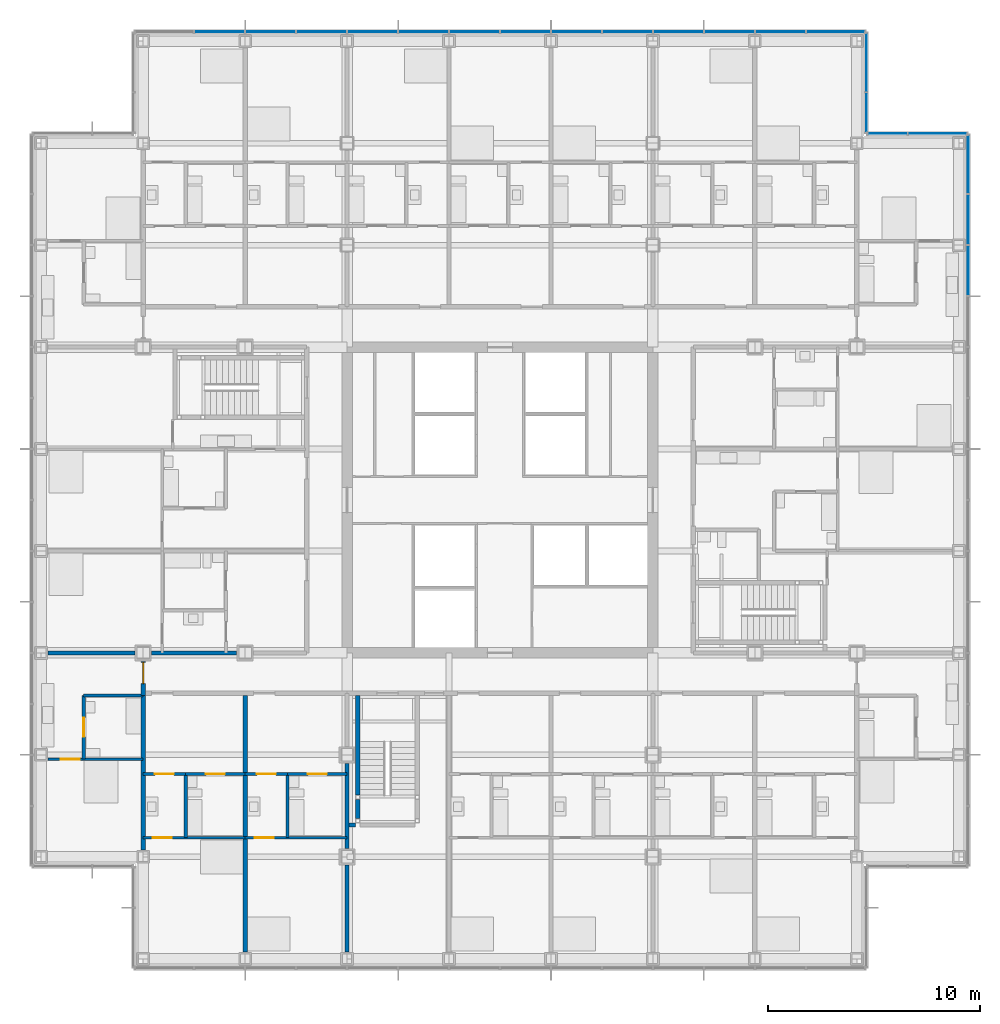
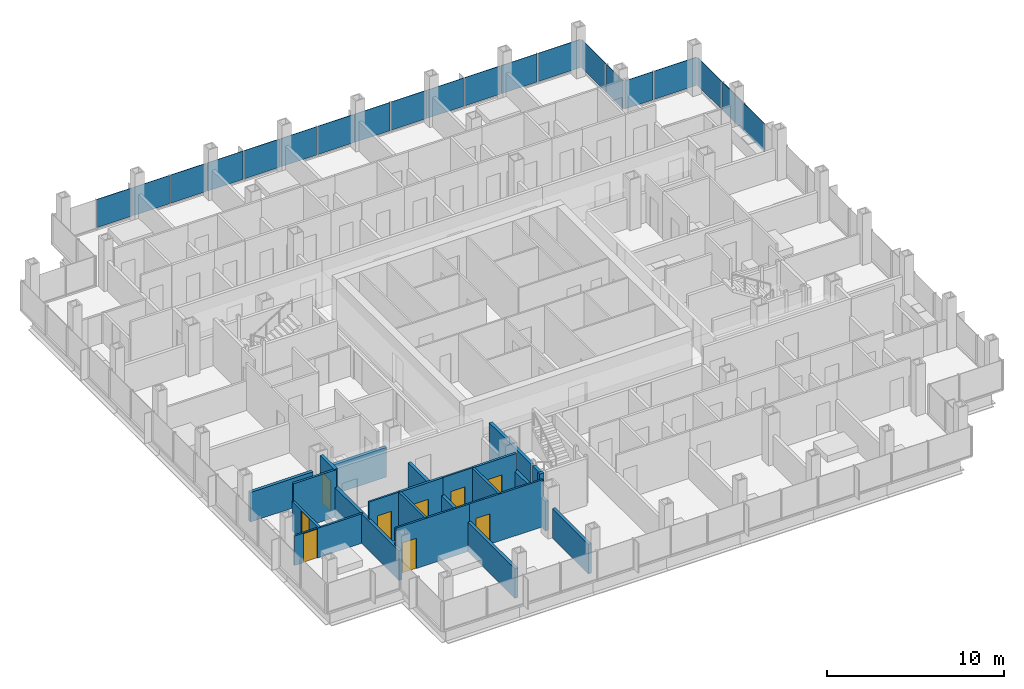
# One storey, part 13 of 22: 21 walls, 20 plates, 9 doors, 9 openings, 4 elements without a shape of their own.
"""IFC4 building model written with IfcOpenShell, lengths in metres."""

from ifc_helpers import new_model, si_unit, direction, frame, frame_2d, origin, origin_2d, place, context, subcontext, project, spatial, rectangle, extrude, material, layer, layer_set, type_object, element, fill, aggregate, save


model = new_model("IFC4")

# Units and contexts
model_context = context("Model", 3, precision=1e-05, world=origin(), true_north=direction((0.0, 1.0)))
body_context = subcontext(model_context, "Body", "Model", "MODEL_VIEW")
ifc_project = project(units=[si_unit("LENGTHUNIT", "METRE"), si_unit("AREAUNIT", "SQUARE_METRE"), si_unit("VOLUMEUNIT", "CUBIC_METRE"), si_unit("PLANEANGLEUNIT", "RADIAN"), si_unit("MASSUNIT", "GRAM", prefix="KILO")], contexts=[model_context])

# Site, building, storey
site_placement = place(None, origin())
site = spatial("IfcSite", under=ifc_project, at=site_placement, CompositionType="ELEMENT")
building_placement = place(site_placement, origin())
building = spatial("IfcBuilding", under=site, at=building_placement, Name="Kvirike Care Tower", CompositionType="ELEMENT")
storey_placement = place(building_placement, frame((0.0, 0.0, 76.0)))
storey = spatial("IfcBuildingStorey", under=building, at=storey_placement, Name="L20", CompositionType="ELEMENT", Elevation=76.0)

# Curtain wall, plates
ifc_material_1 = material(Name="Anodised aluminium stick system", Category="aluminium")
curtain_wall_type = type_object("IfcCurtainWallType", Name="CW-A STICK CURTAIN WALL", PredefinedType="NOTDEFINED", material=ifc_material_1)
curtain_wall_1_placement = place(storey_placement, origin())
curtain_wall_1 = element("IfcCurtainWall", 1, at=curtain_wall_1_placement, inside=storey, type_object=curtain_wall_type, Name="Curtain wall L20 face 7", PredefinedType="NOTDEFINED")
ifc_material_2 = material(Name="Tinted double glazed unit", Category="glass")
ifc_layer_1 = layer(ifc_material_2, 0.031982421875)
ifc_layer_set_1 = layer_set([ifc_layer_1], Name="TINTED VISION PANEL 32")
plate_type = type_object("IfcPlateType", Name="TINTED VISION PANEL 32", PredefinedType="CURTAIN_PANEL", material=ifc_layer_set_1)
plate_1_placement = place(storey_placement, frame((43.64990234375, 46.800048828125, 0.10009765625), z_axis=(0.0, 0.0, 1.0), x_axis=(0.0, 1.0, 0.0)))
plate_1 = element("IfcPlate", 2, at=plate_1_placement, type_object=plate_type, Name="CW-A panel L20 face 7.12", PredefinedType="CURTAIN_PANEL", context=body_context, shape_type="SweptSolid", body=[
    extrude(rectangle(XDim=2.3349609375, YDim=0.031982421875, at=origin_2d()), origin(), (0.0, 0.0, 1.0), 1.949951171875),
])
plate_2_placement = place(storey_placement, frame((43.64990234375, 49.199951171875, 0.10009765625), z_axis=(0.0, 0.0, 1.0), x_axis=(0.0, 1.0, 0.0)))
plate_2 = element("IfcPlate", 3, at=plate_2_placement, type_object=plate_type, Name="CW-A panel L20 face 7.13", PredefinedType="CURTAIN_PANEL", context=body_context, shape_type="SweptSolid", body=[
    extrude(rectangle(XDim=2.3349609375, YDim=0.031982421875, at=origin_2d()), origin(), (0.0, 0.0, 1.0), 1.949951171875),
])
plate_3_placement = place(storey_placement, frame((43.64990234375, 51.808837890625, 0.10009765625), z_axis=(0.0, 0.0, 1.0), x_axis=(0.0, 1.0, 0.0)))
plate_3 = element("IfcPlate", 4, at=plate_3_placement, type_object=plate_type, Name="CW-A panel L20 face 7.14", PredefinedType="CURTAIN_PANEL", context=body_context, shape_type="SweptSolid", body=[
    extrude(rectangle(XDim=2.75244140625, YDim=0.031982421875, at=origin_2d()), origin(), (0.0, 0.0, 1.0), 1.949951171875),
])
aggregate(curtain_wall_1, [plate_1, plate_2, plate_3])

curtain_wall_2_placement = place(storey_placement, origin())
curtain_wall_2 = element("IfcCurtainWall", 5, at=curtain_wall_2_placement, inside=storey, type_object=curtain_wall_type, Name="Curtain wall L20 face 8", PredefinedType="NOTDEFINED")
plate_4_placement = place(storey_placement, frame((42.208740234375, 53.25, 0.10009765625), z_axis=(0.0, 0.0, 1.0), x_axis=(-1.0, 0.0, 0.0)))
plate_4 = element("IfcPlate", 6, at=plate_4_placement, type_object=plate_type, Name="CW-A panel L20 face 8.1", PredefinedType="CURTAIN_PANEL", context=body_context, shape_type="SweptSolid", body=[
    extrude(rectangle(XDim=2.75244140625, YDim=0.031982421875, at=origin_2d()), origin(), (0.0, 0.0, 1.0), 1.949951171875),
])
plate_5_placement = place(storey_placement, frame((39.84130859375, 53.25, 0.10009765625), z_axis=(0.0, 0.0, 1.0), x_axis=(-1.0, 0.0, 0.0)))
plate_5 = element("IfcPlate", 7, at=plate_5_placement, type_object=plate_type, Name="CW-A panel L20 face 8.2", PredefinedType="CURTAIN_PANEL", context=body_context, shape_type="SweptSolid", body=[
    extrude(rectangle(XDim=1.8525390625, YDim=0.031982421875, at=origin_2d()), origin(), (0.0, 0.0, 1.0), 1.949951171875),
])
aggregate(curtain_wall_2, [plate_4, plate_5])

curtain_wall_3_placement = place(storey_placement, origin())
curtain_wall_3 = element("IfcCurtainWall", 8, at=curtain_wall_3_placement, inside=storey, type_object=curtain_wall_type, Name="Curtain wall L20 face 9", PredefinedType="NOTDEFINED")
plate_6_placement = place(storey_placement, frame((38.85009765625, 54.2412109375, 0.10009765625), z_axis=(0.0, 0.0, 1.0), x_axis=(0.0, 1.0, 0.0)))
plate_6 = element("IfcPlate", 9, at=plate_6_placement, type_object=plate_type, Name="CW-A panel L20 face 9.1", PredefinedType="CURTAIN_PANEL", context=body_context, shape_type="SweptSolid", body=[
    extrude(rectangle(XDim=1.8525390625, YDim=0.031982421875, at=origin_2d()), origin(), (0.0, 0.0, 1.0), 1.949951171875),
])
plate_7_placement = place(storey_placement, frame((38.85009765625, 56.608642578125, 0.10009765625), z_axis=(0.0, 0.0, 1.0), x_axis=(0.0, 1.0, 0.0)))
plate_7 = element("IfcPlate", 10, at=plate_7_placement, type_object=plate_type, Name="CW-A panel L20 face 9.2", PredefinedType="CURTAIN_PANEL", context=body_context, shape_type="SweptSolid", body=[
    extrude(rectangle(XDim=2.75244140625, YDim=0.031982421875, at=origin_2d()), origin(), (0.0, 0.0, 1.0), 1.949951171875),
])
aggregate(curtain_wall_3, [plate_6, plate_7])

curtain_wall_4_placement = place(storey_placement, origin())
curtain_wall_4 = element("IfcCurtainWall", 11, at=curtain_wall_4_placement, inside=storey, type_object=curtain_wall_type, Name="Curtain wall L20 face 10", PredefinedType="NOTDEFINED")
plate_8_placement = place(storey_placement, frame((37.40869140625, 58.050048828125, 0.10009765625), z_axis=(0.0, 0.0, 1.0), x_axis=(-1.0, 0.0, 0.0)))
plate_8 = element("IfcPlate", 12, at=plate_8_placement, type_object=plate_type, Name="CW-A panel L20 face 10.1", PredefinedType="CURTAIN_PANEL", context=body_context, shape_type="SweptSolid", body=[
    extrude(rectangle(XDim=2.75244140625, YDim=0.031982421875, at=origin_2d()), origin(), (0.0, 0.0, 1.0), 1.949951171875),
])
plate_9_placement = place(storey_placement, frame((34.800048828125, 58.050048828125, 0.10009765625), z_axis=(0.0, 0.0, 1.0), x_axis=(-1.0, 0.0, 0.0)))
plate_9 = element("IfcPlate", 13, at=plate_9_placement, type_object=plate_type, Name="CW-A panel L20 face 10.2", PredefinedType="CURTAIN_PANEL", context=body_context, shape_type="SweptSolid", body=[
    extrude(rectangle(XDim=2.3349609375, YDim=0.031982421875, at=origin_2d()), origin(), (0.0, 0.0, 1.0), 1.949951171875),
])
plate_10_placement = place(storey_placement, frame((32.39990234375, 58.050048828125, 0.10009765625), z_axis=(0.0, 0.0, 1.0), x_axis=(-1.0, 0.0, 0.0)))
plate_10 = element("IfcPlate", 14, at=plate_10_placement, type_object=plate_type, Name="CW-A panel L20 face 10.3", PredefinedType="CURTAIN_PANEL", context=body_context, shape_type="SweptSolid", body=[
    extrude(rectangle(XDim=2.3349609375, YDim=0.031982421875, at=origin_2d()), origin(), (0.0, 0.0, 1.0), 1.949951171875),
])
plate_11_placement = place(storey_placement, frame((30.0, 58.050048828125, 0.10009765625), z_axis=(0.0, 0.0, 1.0), x_axis=(-1.0, 0.0, 0.0)))
plate_11 = element("IfcPlate", 15, at=plate_11_placement, type_object=plate_type, Name="CW-A panel L20 face 10.4", PredefinedType="CURTAIN_PANEL", context=body_context, shape_type="SweptSolid", body=[
    extrude(rectangle(XDim=2.3349609375, YDim=0.031982421875, at=origin_2d()), origin(), (0.0, 0.0, 1.0), 1.949951171875),
])
plate_12_placement = place(storey_placement, frame((27.60009765625, 58.050048828125, 0.10009765625), z_axis=(0.0, 0.0, 1.0), x_axis=(-1.0, 0.0, 0.0)))
plate_12 = element("IfcPlate", 16, at=plate_12_placement, type_object=plate_type, Name="CW-A panel L20 face 10.5", PredefinedType="CURTAIN_PANEL", context=body_context, shape_type="SweptSolid", body=[
    extrude(rectangle(XDim=2.3349609375, YDim=0.031982421875, at=origin_2d()), origin(), (0.0, 0.0, 1.0), 1.949951171875),
])
plate_13_placement = place(storey_placement, frame((25.199951171875, 58.050048828125, 0.10009765625), z_axis=(0.0, 0.0, 1.0), x_axis=(-1.0, 0.0, 0.0)))
plate_13 = element("IfcPlate", 17, at=plate_13_placement, type_object=plate_type, Name="CW-A panel L20 face 10.6", PredefinedType="CURTAIN_PANEL", context=body_context, shape_type="SweptSolid", body=[
    extrude(rectangle(XDim=2.3349609375, YDim=0.031982421875, at=origin_2d()), origin(), (0.0, 0.0, 1.0), 1.949951171875),
])
plate_14_placement = place(storey_placement, frame((22.800048828125, 58.050048828125, 0.10009765625), z_axis=(0.0, 0.0, 1.0), x_axis=(-1.0, 0.0, 0.0)))
plate_14 = element("IfcPlate", 18, at=plate_14_placement, type_object=plate_type, Name="CW-A panel L20 face 10.7", PredefinedType="CURTAIN_PANEL", context=body_context, shape_type="SweptSolid", body=[
    extrude(rectangle(XDim=2.3349609375, YDim=0.031982421875, at=origin_2d()), origin(), (0.0, 0.0, 1.0), 1.949951171875),
])
plate_15_placement = place(storey_placement, frame((20.39990234375, 58.050048828125, 0.10009765625), z_axis=(0.0, 0.0, 1.0), x_axis=(-1.0, 0.0, 0.0)))
plate_15 = element("IfcPlate", 19, at=plate_15_placement, type_object=plate_type, Name="CW-A panel L20 face 10.8", PredefinedType="CURTAIN_PANEL", context=body_context, shape_type="SweptSolid", body=[
    extrude(rectangle(XDim=2.3349609375, YDim=0.031982421875, at=origin_2d()), origin(), (0.0, 0.0, 1.0), 1.949951171875),
])
plate_16_placement = place(storey_placement, frame((18.0, 58.050048828125, 0.10009765625), z_axis=(0.0, 0.0, 1.0), x_axis=(-1.0, 0.0, 0.0)))
plate_16 = element("IfcPlate", 20, at=plate_16_placement, type_object=plate_type, Name="CW-A panel L20 face 10.9", PredefinedType="CURTAIN_PANEL", context=body_context, shape_type="SweptSolid", body=[
    extrude(rectangle(XDim=2.3349609375, YDim=0.031982421875, at=origin_2d()), origin(), (0.0, 0.0, 1.0), 1.949951171875),
])
plate_17_placement = place(storey_placement, frame((15.60009765625, 58.050048828125, 0.10009765625), z_axis=(0.0, 0.0, 1.0), x_axis=(-1.0, 0.0, 0.0)))
plate_17 = element("IfcPlate", 21, at=plate_17_placement, type_object=plate_type, Name="CW-A panel L20 face 10.10", PredefinedType="CURTAIN_PANEL", context=body_context, shape_type="SweptSolid", body=[
    extrude(rectangle(XDim=2.3349609375, YDim=0.031982421875, at=origin_2d()), origin(), (0.0, 0.0, 1.0), 1.949951171875),
])
plate_18_placement = place(storey_placement, frame((13.199951171875, 58.050048828125, 0.10009765625), z_axis=(0.0, 0.0, 1.0), x_axis=(-1.0, 0.0, 0.0)))
plate_18 = element("IfcPlate", 22, at=plate_18_placement, type_object=plate_type, Name="CW-A panel L20 face 10.11", PredefinedType="CURTAIN_PANEL", context=body_context, shape_type="SweptSolid", body=[
    extrude(rectangle(XDim=2.3349609375, YDim=0.031982421875, at=origin_2d()), origin(), (0.0, 0.0, 1.0), 1.949951171875),
])
plate_19_placement = place(storey_placement, frame((10.800048828125, 58.050048828125, 0.10009765625), z_axis=(0.0, 0.0, 1.0), x_axis=(-1.0, 0.0, 0.0)))
plate_19 = element("IfcPlate", 23, at=plate_19_placement, type_object=plate_type, Name="CW-A panel L20 face 10.12", PredefinedType="CURTAIN_PANEL", context=body_context, shape_type="SweptSolid", body=[
    extrude(rectangle(XDim=2.3349609375, YDim=0.031982421875, at=origin_2d()), origin(), (0.0, 0.0, 1.0), 1.949951171875),
])
plate_20_placement = place(storey_placement, frame((8.39990234375, 58.050048828125, 0.10009765625), z_axis=(0.0, 0.0, 1.0), x_axis=(-1.0, 0.0, 0.0)))
plate_20 = element("IfcPlate", 24, at=plate_20_placement, type_object=plate_type, Name="CW-A panel L20 face 10.13", PredefinedType="CURTAIN_PANEL", context=body_context, shape_type="SweptSolid", body=[
    extrude(rectangle(XDim=2.3349609375, YDim=0.031982421875, at=origin_2d()), origin(), (0.0, 0.0, 1.0), 1.949951171875),
])
aggregate(curtain_wall_4, [plate_8, plate_9, plate_10, plate_11, plate_12, plate_13, plate_14, plate_15, plate_16, plate_17, plate_18, plate_19, plate_20])

# Wall, opening, door
ifc_material_3 = material(Name="Moisture-resistant board partition", Category="gypsum")
ifc_layer_2 = layer(ifc_material_3, 0.14990234375)
ifc_layer_set_2 = layer_set([ifc_layer_2], Name="BATHROOM WALL 150")
wall_type_1 = type_object("IfcWallType", Name="BATHROOM WALL 150", PredefinedType="PARTITIONING", material=ifc_layer_set_2)
wall_1_placement = place(storey_placement, frame((2.0, 23.800048828125, 0.0), z_axis=(0.0, 0.0, 1.0), x_axis=(0.0, 1.0, 0.0)))
wall_1 = element("IfcWall", 25, at=wall_1_placement, inside=storey, type_object=wall_type_1, Name="Bathroom Wall 150 L20", PredefinedType="PARTITIONING", context=body_context, shape_type="SweptSolid", body=[
    extrude(rectangle(XDim=3.0, YDim=0.14990234375, at=frame_2d((1.5, 0.0))), origin(), (0.0, 0.0, 1.0), 2.0400390625),
])
opening_1_placement = place(wall_1_placement, frame((1.050048828125, 0.0, 0.0)))
opening_1 = element("IfcOpeningElement", 26, at=opening_1_placement, cuts=wall_1, Name="Opening 20-001", PredefinedType="OPENING", context=body_context, shape_type="SweptSolid", body=[
    extrude(rectangle(XDim=0.89990234375, YDim=2.0, at=frame_2d((0.449951171875, 1.0))), frame((0.0, 0.08544921875, 0.0), z_axis=(0.0, -1.0, 0.0), x_axis=(1.0, 0.0, 0.0)), (0.0, 0.0, 1.0), 0.1708984375),
])
ifc_material_4 = material(Name="Timber door set", Category="wood")
door_type_1 = type_object("IfcDoorType", Name="BATHROOM DOOR 900 x 2000", OperationType="SINGLE_SWING_RIGHT", PredefinedType="DOOR", material=ifc_material_4)
door_1_placement = place(opening_1_placement, frame((0.89990234375, 0.0, 0.0), z_axis=(0.0, 0.0, 1.0), x_axis=(-1.0, 0.0, 0.0)))
door_1 = element("IfcDoor", 27, at=door_1_placement, inside=storey, type_object=door_type_1, Name="Bathroom door", OperationType="SINGLE_SWING_RIGHT", OverallHeight=2.0, OverallWidth=0.89990234375, PredefinedType="DOOR", context=body_context, shape_type="SweptSolid", body=[
    extrude(rectangle(XDim=0.89990234375, YDim=2.0, at=frame_2d((0.449951171875, 1.0))), frame((0.0, 0.02197265625, 0.0), z_axis=(0.0, -1.0, 0.0), x_axis=(1.0, 0.0, 0.0)), (0.0, 0.0, 1.0), 0.0439453125),
])
fill(opening_1, door_1)

# Walls
wall_2_placement = place(storey_placement, frame((2.0, 26.800048828125, 0.0), z_axis=(0.0, 0.0, 1.0), x_axis=(1.0, 0.0, 0.0)))
element("IfcWall", 28, at=wall_2_placement, inside=storey, type_object=wall_type_1, Name="Bathroom Wall 150 L20", PredefinedType="PARTITIONING", context=body_context, shape_type="SweptSolid", body=[
    extrude(rectangle(XDim=2.800048828125, YDim=0.14990234375, at=frame_2d((1.39990234375, 0.0))), origin(), (0.0, 0.0, 1.0), 3.25),
])
wall_3_placement = place(storey_placement, frame((6.800048828125, 20.10009765625, 0.0), z_axis=(0.0, 0.0, 1.0), x_axis=(0.0, 1.0, 0.0)))
element("IfcWall", 29, at=wall_3_placement, inside=storey, type_object=wall_type_1, Name="Bathroom Wall 150 L20", PredefinedType="PARTITIONING", context=body_context, shape_type="SweptSolid", body=[
    extrude(rectangle(XDim=3.0, YDim=0.14990234375, at=frame_2d((1.5, 0.0))), origin(), (0.0, 0.0, 1.0), 3.25),
])

# Wall, opening, door
wall_4_placement = place(storey_placement, frame((6.800048828125, 23.10009765625, 0.0), z_axis=(0.0, 0.0, 1.0), x_axis=(1.0, 0.0, 0.0)))
wall_4 = element("IfcWall", 30, at=wall_4_placement, inside=storey, type_object=wall_type_1, Name="Bathroom Wall 150 L20", PredefinedType="PARTITIONING", context=body_context, shape_type="SweptSolid", body=[
    extrude(rectangle(XDim=2.800048828125, YDim=0.14990234375, at=frame_2d((1.39990234375, 0.0))), origin(), (0.0, 0.0, 1.0), 3.25),
])
opening_2_placement = place(wall_4_placement, frame((0.949951171875, 0.0, 0.0)))
opening_2 = element("IfcOpeningElement", 31, at=opening_2_placement, cuts=wall_4, Name="Opening 20-003", PredefinedType="OPENING", context=body_context, shape_type="SweptSolid", body=[
    extrude(rectangle(XDim=0.89990234375, YDim=2.10009765625, at=frame_2d((0.449951171875, 1.050048828125))), frame((0.0, 0.08544921875, 0.0), z_axis=(0.0, -1.0, 0.0), x_axis=(1.0, 0.0, 0.0)), (0.0, 0.0, 1.0), 0.1708984375),
])
ifc_material_5 = material(Name="Timber door set", Category="wood")
door_type_2 = type_object("IfcDoorType", Name="BATHROOM DOOR 900", OperationType="SINGLE_SWING_RIGHT", PredefinedType="DOOR", material=ifc_material_5)
door_2_placement = place(opening_2_placement, frame((0.89990234375, 0.0, 0.0), z_axis=(0.0, 0.0, 1.0), x_axis=(-1.0, 0.0, 0.0)))
door_2 = element("IfcDoor", 32, at=door_2_placement, inside=storey, type_object=door_type_2, Name="Bathroom door", OperationType="SINGLE_SWING_RIGHT", OverallHeight=2.10009765625, OverallWidth=0.89990234375, PredefinedType="DOOR", context=body_context, shape_type="SweptSolid", body=[
    extrude(rectangle(XDim=0.89990234375, YDim=2.10009765625, at=frame_2d((0.449951171875, 1.050048828125))), frame((0.0, 0.02197265625, 0.0), z_axis=(0.0, -1.0, 0.0), x_axis=(1.0, 0.0, 0.0)), (0.0, 0.0, 1.0), 0.0439453125),
])
fill(opening_2, door_2)

# Wall
wall_5_placement = place(storey_placement, frame((11.60009765625, 20.10009765625, 0.0), z_axis=(0.0, 0.0, 1.0), x_axis=(0.0, 1.0, 0.0)))
element("IfcWall", 33, at=wall_5_placement, inside=storey, type_object=wall_type_1, Name="Bathroom Wall 150 L20", PredefinedType="PARTITIONING", context=body_context, shape_type="SweptSolid", body=[
    extrude(rectangle(XDim=3.0, YDim=0.14990234375, at=frame_2d((1.5, 0.0))), origin(), (0.0, 0.0, 1.0), 3.25),
])

# Wall, opening, door
wall_6_placement = place(storey_placement, frame((11.60009765625, 23.10009765625, 0.0), z_axis=(0.0, 0.0, 1.0), x_axis=(1.0, 0.0, 0.0)))
wall_6 = element("IfcWall", 34, at=wall_6_placement, inside=storey, type_object=wall_type_1, Name="Bathroom Wall 150 L20", PredefinedType="PARTITIONING", context=body_context, shape_type="SweptSolid", body=[
    extrude(rectangle(XDim=2.7998046875, YDim=0.14990234375, at=frame_2d((1.39990234375, 0.0))), origin(), (0.0, 0.0, 1.0), 3.25),
])
opening_3_placement = place(wall_6_placement, frame((0.949951171875, 0.0, 0.0)))
opening_3 = element("IfcOpeningElement", 35, at=opening_3_placement, cuts=wall_6, Name="Opening 20-006", PredefinedType="OPENING", context=body_context, shape_type="SweptSolid", body=[
    extrude(rectangle(XDim=0.89990234375, YDim=2.10009765625, at=frame_2d((0.449951171875, 1.050048828125))), frame((0.0, 0.08544921875, 0.0), z_axis=(0.0, -1.0, 0.0), x_axis=(1.0, 0.0, 0.0)), (0.0, 0.0, 1.0), 0.1708984375),
])
door_3_placement = place(opening_3_placement, frame((0.89990234375, 0.0, 0.0), z_axis=(0.0, 0.0, 1.0), x_axis=(-1.0, 0.0, 0.0)))
door_3 = element("IfcDoor", 36, at=door_3_placement, inside=storey, type_object=door_type_2, Name="Bathroom door", OperationType="SINGLE_SWING_LEFT", OverallHeight=2.10009765625, OverallWidth=0.89990234375, PredefinedType="DOOR", context=body_context, shape_type="SweptSolid", body=[
    extrude(rectangle(XDim=0.89990234375, YDim=2.10009765625, at=frame_2d((0.449951171875, 1.050048828125))), frame((0.0, 0.02197265625, 0.0), z_axis=(0.0, -1.0, 0.0), x_axis=(1.0, 0.0, 0.0)), (0.0, 0.0, 1.0), 0.0439453125),
])
fill(opening_3, door_3)

ifc_material_6 = material(Name="Plasterboard corridor wall", Category="gypsum")
ifc_layer_3 = layer(ifc_material_6, 0.199951171875)
ifc_layer_set_3 = layer_set([ifc_layer_3], Name="CORRIDOR WALL 200")
wall_type_2 = type_object("IfcWallType", Name="CORRIDOR WALL 200", PredefinedType="PARTITIONING", material=ifc_layer_set_3)
wall_7_placement = place(storey_placement, frame((4.800048828125, 26.800048828125, 0.0), z_axis=(0.0, 0.0, 1.0), x_axis=(0.0, 1.0, 0.0)))
wall_7 = element("IfcWall", 37, at=wall_7_placement, inside=storey, type_object=wall_type_2, Name="Corridor Wall 200 L20", PredefinedType="PARTITIONING", context=body_context, shape_type="SweptSolid", body=[
    extrude(rectangle(XDim=1.60498046875, YDim=0.199951171875, at=frame_2d((0.802490234375, 0.0))), origin(), (0.0, 0.0, 1.0), 3.25),
])
opening_4_placement = place(wall_7_placement, frame((0.550048828125, 0.0, 0.0)))
opening_4 = element("IfcOpeningElement", 38, at=opening_4_placement, cuts=wall_7, Name="Opening 20-011", PredefinedType="OPENING", context=body_context, shape_type="SweptSolid", body=[
    extrude(rectangle(XDim=1.0, YDim=2.10009765625, at=frame_2d((0.5, 1.050048828125))), frame((0.0, 0.110595703125, 0.0), z_axis=(0.0, -1.0, 0.0), x_axis=(1.0, 0.0, 0.0)), (0.0, 0.0, 1.0), 0.220947265625),
])
ifc_material_7 = material(Name="Timber door set", Category="wood")
door_type_3 = type_object("IfcDoorType", Name="FLAT ENTRANCE DOOR 1000", OperationType="SINGLE_SWING_LEFT", PredefinedType="DOOR", material=ifc_material_7)
door_4_placement = place(opening_4_placement, origin())
door_4 = element("IfcDoor", 39, at=door_4_placement, inside=storey, type_object=door_type_3, Name="Studio apartment entrance", OperationType="SINGLE_SWING_LEFT", OverallHeight=2.10009765625, OverallWidth=1.0, PredefinedType="DOOR", context=body_context, shape_type="SweptSolid", body=[
    extrude(rectangle(XDim=1.0, YDim=2.10009765625, at=frame_2d((0.5, 1.050048828125))), frame((0.0, 0.02685546875, 0.0), z_axis=(0.0, -1.0, 0.0), x_axis=(1.0, 0.0, 0.0)), (0.0, 0.0, 1.0), 0.053955078125),
])
fill(opening_4, door_4)

ifc_material_8 = material(Name="Plasterboard partition", Category="gypsum")
ifc_layer_4 = layer(ifc_material_8, 0.1201171875)
ifc_layer_set_4 = layer_set([ifc_layer_4], Name="PARTITION 120")
wall_type_3 = type_object("IfcWallType", Name="PARTITION 120", PredefinedType="PARTITIONING", material=ifc_layer_set_4)
wall_8_placement = place(storey_placement, frame((0.320068359375, 23.800048828125, 0.0), z_axis=(0.0, 0.0, 1.0), x_axis=(1.0, 0.0, 0.0)))
wall_8 = element("IfcWall", 40, at=wall_8_placement, inside=storey, type_object=wall_type_3, Name="Partition 120 L20", PredefinedType="PARTITIONING", context=body_context, shape_type="SweptSolid", body=[
    extrude(rectangle(XDim=4.47998046875, YDim=0.1201171875, at=frame_2d((2.239990234375, 0.0))), origin(), (0.0, 0.0, 1.0), 2.0400390625),
])
opening_5_placement = place(wall_8_placement, frame((0.60498046875, 0.0, 0.0)))
opening_5 = element("IfcOpeningElement", 41, at=opening_5_placement, cuts=wall_8, Name="Opening 20-002", PredefinedType="OPENING", context=body_context, shape_type="SweptSolid", body=[
    extrude(rectangle(XDim=0.89990234375, YDim=2.0, at=frame_2d((0.449951171875, 1.0))), frame((0.0, 0.070556640625, 0.0), z_axis=(0.0, -1.0, 0.0), x_axis=(1.0, 0.0, 0.0)), (0.0, 0.0, 1.0), 0.14111328125),
])
ifc_material_9 = material(Name="Timber door set", Category="wood")
door_type_4 = type_object("IfcDoorType", Name="INTERNAL DOOR 900 x 2000", OperationType="SINGLE_SWING_LEFT", PredefinedType="DOOR", material=ifc_material_9)
door_5_placement = place(opening_5_placement, origin())
door_5 = element("IfcDoor", 42, at=door_5_placement, inside=storey, type_object=door_type_4, Name="Studio apartment living room door", OperationType="SINGLE_SWING_LEFT", OverallHeight=2.0, OverallWidth=0.89990234375, PredefinedType="DOOR", context=body_context, shape_type="SweptSolid", body=[
    extrude(rectangle(XDim=0.89990234375, YDim=2.0, at=frame_2d((0.449951171875, 1.0))), frame((0.0, 0.02197265625, 0.0), z_axis=(0.0, -1.0, 0.0), x_axis=(1.0, 0.0, 0.0)), (0.0, 0.0, 1.0), 0.0439453125),
])
fill(opening_5, door_5)

wall_9_placement = place(storey_placement, frame((4.800048828125, 23.10009765625, 0.0), z_axis=(0.0, 0.0, 1.0), x_axis=(1.0, 0.0, 0.0)))
wall_9 = element("IfcWall", 43, at=wall_9_placement, inside=storey, type_object=wall_type_3, Name="Partition 120 L20", PredefinedType="PARTITIONING", context=body_context, shape_type="SweptSolid", body=[
    extrude(rectangle(XDim=2.0, YDim=0.1201171875, at=frame_2d((1.0, 0.0))), origin(), (0.0, 0.0, 1.0), 3.25),
])
opening_6_placement = place(wall_9_placement, frame((0.550048828125, 0.0, 0.0)))
opening_6 = element("IfcOpeningElement", 44, at=opening_6_placement, cuts=wall_9, Name="Opening 20-004", PredefinedType="OPENING", context=body_context, shape_type="SweptSolid", body=[
    extrude(rectangle(XDim=0.89990234375, YDim=2.10009765625, at=frame_2d((0.449951171875, 1.050048828125))), frame((0.0, 0.070556640625, 0.0), z_axis=(0.0, -1.0, 0.0), x_axis=(1.0, 0.0, 0.0)), (0.0, 0.0, 1.0), 0.14111328125),
])
ifc_material_10 = material(Name="Timber door set", Category="wood")
door_type_5 = type_object("IfcDoorType", Name="INTERNAL DOOR 900", OperationType="SINGLE_SWING_LEFT", PredefinedType="DOOR", material=ifc_material_10)
door_6_placement = place(opening_6_placement, frame((0.89990234375, 0.0, 0.0), z_axis=(0.0, 0.0, 1.0), x_axis=(-1.0, 0.0, 0.0)))
door_6 = element("IfcDoor", 45, at=door_6_placement, inside=storey, type_object=door_type_5, Name="Kitchen door", OperationType="SINGLE_SWING_LEFT", OverallHeight=2.10009765625, OverallWidth=0.89990234375, PredefinedType="DOOR", context=body_context, shape_type="SweptSolid", body=[
    extrude(rectangle(XDim=0.89990234375, YDim=2.10009765625, at=frame_2d((0.449951171875, 1.050048828125))), frame((0.0, 0.02197265625, 0.0), z_axis=(0.0, -1.0, 0.0), x_axis=(1.0, 0.0, 0.0)), (0.0, 0.0, 1.0), 0.0439453125),
])
fill(opening_6, door_6)

wall_10_placement = place(storey_placement, frame((4.800048828125, 20.10009765625, 0.0), z_axis=(0.0, 0.0, 1.0), x_axis=(1.0, 0.0, 0.0)))
wall_10 = element("IfcWall", 46, at=wall_10_placement, inside=storey, type_object=wall_type_3, Name="Partition 120 L20", PredefinedType="PARTITIONING", context=body_context, shape_type="SweptSolid", body=[
    extrude(rectangle(XDim=4.800048828125, YDim=0.1201171875, at=frame_2d((2.39990234375, 0.0))), origin(), (0.0, 0.0, 1.0), 3.25),
])
opening_7_placement = place(wall_10_placement, frame((0.449951171875, 0.0, 0.0)))
opening_7 = element("IfcOpeningElement", 47, at=opening_7_placement, cuts=wall_10, Name="Opening 20-005", PredefinedType="OPENING", context=body_context, shape_type="SweptSolid", body=[
    extrude(rectangle(XDim=0.89990234375, YDim=2.10009765625, at=frame_2d((0.449951171875, 1.050048828125))), frame((0.0, 0.070556640625, 0.0), z_axis=(0.0, -1.0, 0.0), x_axis=(1.0, 0.0, 0.0)), (0.0, 0.0, 1.0), 0.14111328125),
])
door_7_placement = place(opening_7_placement, origin())
door_7 = element("IfcDoor", 48, at=door_7_placement, inside=storey, type_object=door_type_5, Name="Studio apartment living room door", OperationType="SINGLE_SWING_RIGHT", OverallHeight=2.10009765625, OverallWidth=0.89990234375, PredefinedType="DOOR", context=body_context, shape_type="SweptSolid", body=[
    extrude(rectangle(XDim=0.89990234375, YDim=2.10009765625, at=frame_2d((0.449951171875, 1.050048828125))), frame((0.0, 0.02197265625, 0.0), z_axis=(0.0, -1.0, 0.0), x_axis=(1.0, 0.0, 0.0)), (0.0, 0.0, 1.0), 0.0439453125),
])
fill(opening_7, door_7)

wall_11_placement = place(storey_placement, frame((9.60009765625, 23.10009765625, 0.0), z_axis=(0.0, 0.0, 1.0), x_axis=(1.0, 0.0, 0.0)))
wall_11 = element("IfcWall", 49, at=wall_11_placement, inside=storey, type_object=wall_type_3, Name="Partition 120 L20", PredefinedType="PARTITIONING", context=body_context, shape_type="SweptSolid", body=[
    extrude(rectangle(XDim=2.0, YDim=0.1201171875, at=frame_2d((1.0, 0.0))), origin(), (0.0, 0.0, 1.0), 3.25),
])
opening_8_placement = place(wall_11_placement, frame((0.550048828125, 0.0, 0.0)))
opening_8 = element("IfcOpeningElement", 50, at=opening_8_placement, cuts=wall_11, Name="Opening 20-007", PredefinedType="OPENING", context=body_context, shape_type="SweptSolid", body=[
    extrude(rectangle(XDim=0.89990234375, YDim=2.10009765625, at=frame_2d((0.449951171875, 1.050048828125))), frame((0.0, 0.070556640625, 0.0), z_axis=(0.0, -1.0, 0.0), x_axis=(1.0, 0.0, 0.0)), (0.0, 0.0, 1.0), 0.14111328125),
])
door_8_placement = place(opening_8_placement, frame((0.89990234375, 0.0, 0.0), z_axis=(0.0, 0.0, 1.0), x_axis=(-1.0, 0.0, 0.0)))
door_8 = element("IfcDoor", 51, at=door_8_placement, inside=storey, type_object=door_type_5, Name="Kitchen door", OperationType="SINGLE_SWING_LEFT", OverallHeight=2.10009765625, OverallWidth=0.89990234375, PredefinedType="DOOR", context=body_context, shape_type="SweptSolid", body=[
    extrude(rectangle(XDim=0.89990234375, YDim=2.10009765625, at=frame_2d((0.449951171875, 1.050048828125))), frame((0.0, 0.02197265625, 0.0), z_axis=(0.0, -1.0, 0.0), x_axis=(1.0, 0.0, 0.0)), (0.0, 0.0, 1.0), 0.0439453125),
])
fill(opening_8, door_8)

wall_12_placement = place(storey_placement, frame((9.60009765625, 20.10009765625, 0.0), z_axis=(0.0, 0.0, 1.0), x_axis=(1.0, 0.0, 0.0)))
wall_12 = element("IfcWall", 52, at=wall_12_placement, inside=storey, type_object=wall_type_3, Name="Partition 120 L20", PredefinedType="PARTITIONING", context=body_context, shape_type="SweptSolid", body=[
    extrude(rectangle(XDim=4.7998046875, YDim=0.1201171875, at=frame_2d((2.39990234375, 0.0))), origin(), (0.0, 0.0, 1.0), 3.25),
])
opening_9_placement = place(wall_12_placement, frame((0.449951171875, 0.0, 0.0)))
opening_9 = element("IfcOpeningElement", 53, at=opening_9_placement, cuts=wall_12, Name="Opening 20-008", PredefinedType="OPENING", context=body_context, shape_type="SweptSolid", body=[
    extrude(rectangle(XDim=0.89990234375, YDim=2.10009765625, at=frame_2d((0.449951171875, 1.050048828125))), frame((0.0, 0.070556640625, 0.0), z_axis=(0.0, -1.0, 0.0), x_axis=(1.0, 0.0, 0.0)), (0.0, 0.0, 1.0), 0.14111328125),
])
door_9_placement = place(opening_9_placement, origin())
door_9 = element("IfcDoor", 54, at=door_9_placement, inside=storey, type_object=door_type_5, Name="Studio apartment living room door", OperationType="SINGLE_SWING_RIGHT", OverallHeight=2.10009765625, OverallWidth=0.89990234375, PredefinedType="DOOR", context=body_context, shape_type="SweptSolid", body=[
    extrude(rectangle(XDim=0.89990234375, YDim=2.10009765625, at=frame_2d((0.449951171875, 1.050048828125))), frame((0.0, 0.02197265625, 0.0), z_axis=(0.0, -1.0, 0.0), x_axis=(1.0, 0.0, 0.0)), (0.0, 0.0, 1.0), 0.0439453125),
])
fill(opening_9, door_9)

# Walls
ifc_material_11 = material(Name="Plasterboard party wall", Category="gypsum")
ifc_layer_5 = layer(ifc_material_11, 0.199951171875)
ifc_layer_set_5 = layer_set([ifc_layer_5], Name="PARTY WALL 200")
wall_type_4 = type_object("IfcWallType", Name="PARTY WALL 200", PredefinedType="PARTITIONING", material=ifc_layer_set_5)
wall_13_placement = place(storey_placement, frame((4.800048828125, 19.52001953125, 0.0), z_axis=(0.0, 0.0, 1.0), x_axis=(0.0, 1.0, 0.0)))
element("IfcWall", 55, at=wall_13_placement, inside=storey, type_object=wall_type_4, Name="Party Wall 200 L20", PredefinedType="PARTITIONING", context=body_context, shape_type="SweptSolid", body=[
    extrude(rectangle(XDim=7.280029296875, YDim=0.199951171875, at=frame_2d((3.64013671875, 0.0))), origin(), (0.0, 0.0, 1.0), 2.0400390625),
])
wall_14_placement = place(storey_placement, frame((9.60009765625, 14.719970703125, 0.0), z_axis=(0.0, 0.0, 1.0), x_axis=(0.0, 1.0, 0.0)))
element("IfcWall", 56, at=wall_14_placement, inside=storey, type_object=wall_type_4, Name="Party Wall 200 L20", PredefinedType="PARTITIONING", context=body_context, shape_type="SweptSolid", body=[
    extrude(rectangle(XDim=12.080078125, YDim=0.199951171875, at=frame_2d((6.0400390625, 0.0))), origin(), (0.0, 0.0, 1.0), 2.0400390625),
])
wall_15_placement = place(storey_placement, frame((9.205078125, 28.800048828125, 0.0), z_axis=(0.0, 0.0, 1.0), x_axis=(-1.0, 0.0, 0.0)))
element("IfcWall", 57, at=wall_15_placement, inside=storey, type_object=wall_type_4, Name="Party Wall 200 L20", PredefinedType="PARTITIONING", context=body_context, shape_type="SweptSolid", body=[
    extrude(rectangle(XDim=4.010009765625, YDim=0.199951171875, at=frame_2d((2.0048828125, 0.0))), origin(), (0.0, 0.0, 1.0), 2.0400390625),
])
for number, where, z_axis, x_axis, name in (
    (58, (4.405029296875, 28.800048828125, 0.0), (0.0, 0.0, 1.0), (-1.0, 0.0, 0.0), "Party Wall 200 L20"),
    (59, (14.39990234375, 14.719970703125, 0.0), (0.0, 0.0, 1.0), (0.0, 1.0, 0.0), "Party Wall 200 L20"),
):
    element("IfcWall", number, at=place(storey_placement, frame(where, z_axis=z_axis, x_axis=x_axis)), inside=storey, type_object=wall_type_4, Name=name, PredefinedType="PARTITIONING", context=body_context, shape_type="SweptSolid", body=[
        extrude(rectangle(XDim=4.0849609375, YDim=0.199951171875, at=frame_2d((2.04248046875, 0.0))), origin(), (0.0, 0.0, 1.0), 2.0400390625),
    ])
wall_16_placement = place(storey_placement, frame((14.39990234375, 19.594970703125, 0.0), z_axis=(0.0, 0.0, 1.0), x_axis=(0.0, 1.0, 0.0)))
element("IfcWall", 60, at=wall_16_placement, inside=storey, type_object=wall_type_4, Name="Party Wall 200 L20", PredefinedType="PARTITIONING", context=body_context, shape_type="SweptSolid", body=[
    extrude(rectangle(XDim=4.010009765625, YDim=0.199951171875, at=frame_2d((2.0048828125, 0.0))), origin(), (0.0, 0.0, 1.0), 2.0400390625),
])
ifc_material_12 = material(Name="Concrete C40/50", Category="concrete")
ifc_layer_6 = layer(ifc_material_12, 0.199951171875)
ifc_layer_set_6 = layer_set([ifc_layer_6], Name="STAIR WALL 200")
wall_type_5 = type_object("IfcWallType", Name="STAIR WALL 200", PredefinedType="SOLIDWALL", material=ifc_layer_set_6)
wall_17_placement = place(storey_placement, frame((14.89990234375, 21.0, 0.0), z_axis=(0.0, 0.0, 1.0), x_axis=(0.0, 1.0, 0.0)))
element("IfcWall", 61, at=wall_17_placement, inside=storey, type_object=wall_type_5, Name="Stair Wall 200 L20", PredefinedType="SOLIDWALL", context=body_context, shape_type="SweptSolid", body=[
    extrude(rectangle(XDim=0.89990234375, YDim=0.199951171875, at=frame_2d((0.449951171875, 0.0))), origin(), (0.0, 0.0, 1.0), 2.93994140625),
])
wall_18_placement = place(storey_placement, frame((14.89990234375, 22.10009765625, 0.0), z_axis=(0.0, 0.0, 1.0), x_axis=(0.0, 1.0, 0.0)))
element("IfcWall", 62, at=wall_18_placement, inside=storey, type_object=wall_type_5, Name="Stair Wall 200 L20", PredefinedType="SOLIDWALL", context=body_context, shape_type="SweptSolid", body=[
    extrude(rectangle(XDim=4.699951171875, YDim=0.199951171875, at=frame_2d((2.35009765625, 0.0))), origin(), (0.0, 0.0, 1.0), 2.93994140625),
])
wall_19_placement = place(storey_placement, frame((14.5, 20.699951171875, 0.0), z_axis=(0.0, 0.0, 1.0), x_axis=(1.0, 0.0, 0.0)))
element("IfcWall", 63, at=wall_19_placement, inside=storey, type_object=wall_type_5, Name="Stair Wall 200 L20", PredefinedType="SOLIDWALL", context=body_context, shape_type="SweptSolid", body=[
    extrude(rectangle(XDim=0.300048828125, YDim=0.199951171875, at=frame_2d((0.14990234375, 0.0))), origin(), (0.0, 0.0, 1.0), 3.25),
])

save(model, "model.ifc")
